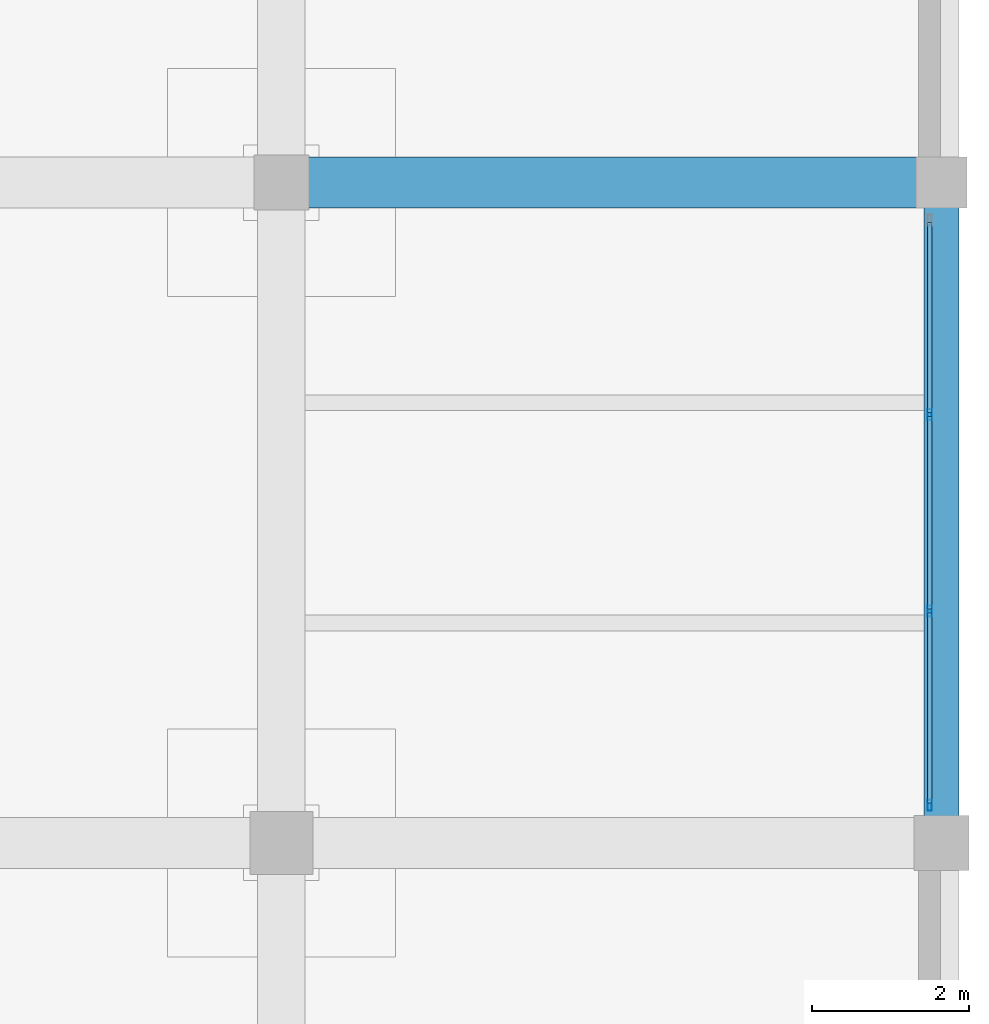
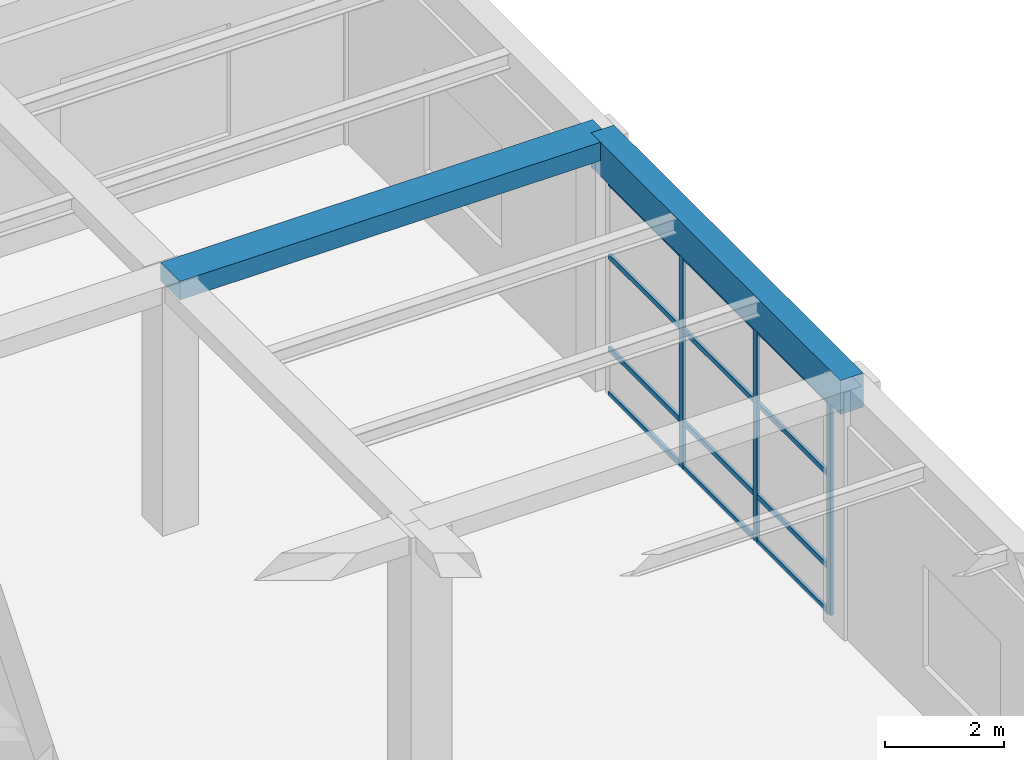
# One storey, part 38 of 65: 15 members, 2 beams, 1 element without a shape of its own.
"""IFC4 building model written with IfcOpenShell, lengths in metres."""

from ifc_helpers import new_model, si_unit, direction, frame, origin, origin_2d, place, context, subcontext, project, spatial, rectangle, hollow_rectangle, extrude, material, material_profile, profile_set, type_object, element, aggregate, save


model = new_model("IFC4")

# Units and contexts
model_context = context("Model", 3, precision=1e-05, world=origin(), true_north=direction((0.0, 1.0)))
body_context = subcontext(model_context, "Body", "Model", "MODEL_VIEW")
ifc_project = project(units=[si_unit("LENGTHUNIT", "METRE"), si_unit("AREAUNIT", "SQUARE_METRE"), si_unit("VOLUMEUNIT", "CUBIC_METRE"), si_unit("PLANEANGLEUNIT", "RADIAN"), si_unit("MASSUNIT", "GRAM", prefix="KILO")], contexts=[model_context])

# Site, building, storey
site_placement = place(None, origin())
site = spatial("IfcSite", under=ifc_project, at=site_placement, CompositionType="ELEMENT")
building_placement = place(site_placement, origin())
building = spatial("IfcBuilding", under=site, at=building_placement, Name="Almacenes y Pasaje Nevantli", CompositionType="ELEMENT")
storey_placement = place(building_placement, frame((0.0, 0.0, 16.800048828125)))
storey = spatial("IfcBuildingStorey", under=building, at=storey_placement, Name="L04", CompositionType="ELEMENT", Elevation=16.800048828125)

# Beams
ifc_material_1 = material(Name="Concrete C35/45", Category="concrete")
ifc_material_profile_1 = material_profile(ifc_material_1, rectangle(XDim=0.449951171875, YDim=0.699951171875, at=origin_2d()), Name="RC-BM-450x700")
ifc_profile_set_1 = profile_set([ifc_material_profile_1], Name="Concrete C35/45")
beam_type_1 = type_object("IfcBeamType", Name="BM-RC-450x700", PredefinedType="SPANDREL", material=ifc_profile_set_1)
beam_1_placement = place(storey_placement, frame((168.0, 100.800048828125, 4.75), z_axis=(0.0, 1.0, 0.0), x_axis=(-1.0, 0.0, 0.0)))
element("IfcBeam", 1, at=beam_1_placement, inside=storey, type_object=beam_type_1, Name="L04 North-South Reinforced Concrete Beam #3227", PredefinedType="SPANDREL", context=body_context, shape_type="SweptSolid", body=[
    extrude(rectangle(XDim=0.449951171875, YDim=0.699951171875, at=origin_2d()), origin(), (0.0, 0.0, 1.0), 8.39990234375),
])
ifc_material_2 = material(Name="Concrete C35/45", Category="concrete")
ifc_material_profile_2 = material_profile(ifc_material_2, rectangle(XDim=0.64990234375, YDim=0.3798828125, at=origin_2d()), Name="RC-BM-650x380")
ifc_profile_set_2 = profile_set([ifc_material_profile_2], Name="Concrete C35/45")
beam_type_2 = type_object("IfcBeamType", Name="BM-RC-650x380", PredefinedType="BEAM", material=ifc_profile_set_2)
beam_2_placement = place(storey_placement, frame((159.60009765625, 109.199951171875, 4.909912109375), z_axis=(1.0, 0.0, 0.0), x_axis=(0.0, 1.0, 0.0)))
element("IfcBeam", 2, at=beam_2_placement, inside=storey, type_object=beam_type_2, Name="L04 East-West Reinforced Concrete Beam #2972", PredefinedType="BEAM", context=body_context, shape_type="SweptSolid", body=[
    extrude(rectangle(XDim=0.64990234375, YDim=0.3798828125, at=origin_2d()), origin(), (0.0, 0.0, 1.0), 8.39990234375),
])

# Curtain wall, members
ifc_material_3 = material(Name="Thermally Broken Aluminium and Low-E Glass", Category="aluminium")
curtain_wall_type = type_object("IfcCurtainWallType", Name="CW-UNIT-PODIUM", PredefinedType="USERDEFINED", material=ifc_material_3)
curtain_wall_placement = place(storey_placement, origin())
curtain_wall = element("IfcCurtainWall", 3, at=curtain_wall_placement, inside=storey, type_object=curtain_wall_type, Name="L04 East Office Wing Curtain Wall Bay 13", ObjectType="UNITIZED CURTAIN WALL", PredefinedType="USERDEFINED")
ifc_material_4 = material(Name="Thermally Broken Anodized Aluminium", Category="aluminium")
ifc_material_profile_3 = material_profile(ifc_material_4, hollow_rectangle(XDim=0.054931640625, YDim=0.139892578125, WallThickness=0.00341796875, at=origin_2d()), Name="ALU-MUL-55x140")
ifc_profile_set_3 = profile_set([ifc_material_profile_3], Name="Thermally Broken Anodized Aluminium")
member_type_1 = type_object("IfcMemberType", Name="CW-MUL-160", PredefinedType="MULLION", material=ifc_profile_set_3)
member_1_placement = place(storey_placement, frame((167.85009765625, 101.277587890625, 0.0), z_axis=(0.0, 0.0, 1.0), x_axis=(-1.0, 0.0, 0.0)))
member_1 = element("IfcMember", 4, at=member_1_placement, type_object=member_type_1, Name="CW-L04-082 mullion 1", PredefinedType="MULLION", context=body_context, shape_type="SweptSolid", body=[
    extrude(hollow_rectangle(XDim=0.054931640625, YDim=0.139892578125, WallThickness=0.00341796875, at=origin_2d()), origin(), (0.0, 0.0, 1.0), 4.3798828125),
])
member_2_placement = place(storey_placement, frame((167.85009765625, 103.75, 0.0), z_axis=(0.0, 0.0, 1.0), x_axis=(-1.0, 0.0, 0.0)))
member_2 = element("IfcMember", 5, at=member_2_placement, type_object=member_type_1, Name="CW-L04-082 mullion 2", PredefinedType="MULLION", context=body_context, shape_type="SweptSolid", body=[
    extrude(hollow_rectangle(XDim=0.054931640625, YDim=0.139892578125, WallThickness=0.00341796875, at=origin_2d()), origin(), (0.0, 0.0, 1.0), 4.3798828125),
])
member_3_placement = place(storey_placement, frame((167.85009765625, 106.25, 0.0), z_axis=(0.0, 0.0, 1.0), x_axis=(-1.0, 0.0, 0.0)))
member_3 = element("IfcMember", 6, at=member_3_placement, type_object=member_type_1, Name="CW-L04-082 mullion 3", PredefinedType="MULLION", context=body_context, shape_type="SweptSolid", body=[
    extrude(hollow_rectangle(XDim=0.054931640625, YDim=0.139892578125, WallThickness=0.00341796875, at=origin_2d()), origin(), (0.0, 0.0, 1.0), 4.3798828125),
])
ifc_material_5 = material(Name="Thermally Broken Anodized Aluminium", Category="aluminium")
ifc_material_profile_4 = material_profile(ifc_material_5, hollow_rectangle(XDim=0.054931640625, YDim=0.10498046875, WallThickness=0.003173828125, at=origin_2d()), Name="ALU-TRN-55x105")
ifc_profile_set_4 = profile_set([ifc_material_profile_4], Name="Thermally Broken Anodized Aluminium")
member_type_2 = type_object("IfcMemberType", Name="CW-TRN-120", PredefinedType="USERDEFINED", material=ifc_profile_set_4)
member_4_placement = place(storey_placement, frame((167.85009765625, 101.304931640625, 0.02734375), z_axis=(0.0, 1.0, 0.0), x_axis=(-1.0, 0.0, 0.0)))
member_4 = element("IfcMember", 7, at=member_4_placement, type_object=member_type_2, Name="CW-L04-082 transom 1.1", ObjectType="TRANSOM", PredefinedType="USERDEFINED", context=body_context, shape_type="SweptSolid", body=[
    extrude(hollow_rectangle(XDim=0.054931640625, YDim=0.10498046875, WallThickness=0.003173828125, at=origin_2d()), origin(), (0.0, 0.0, 1.0), 2.41748046875),
])
member_5_placement = place(storey_placement, frame((167.85009765625, 101.304931640625, 0.949951171875), z_axis=(0.0, 1.0, 0.0), x_axis=(-1.0, 0.0, 0.0)))
member_5 = element("IfcMember", 8, at=member_5_placement, type_object=member_type_2, Name="CW-L04-082 transom 1.2", ObjectType="TRANSOM", PredefinedType="USERDEFINED", context=body_context, shape_type="SweptSolid", body=[
    extrude(hollow_rectangle(XDim=0.054931640625, YDim=0.10498046875, WallThickness=0.003173828125, at=origin_2d()), origin(), (0.0, 0.0, 1.0), 2.41748046875),
])
member_6_placement = place(storey_placement, frame((167.85009765625, 101.304931640625, 2.849853515625), z_axis=(0.0, 1.0, 0.0), x_axis=(-1.0, 0.0, 0.0)))
member_6 = element("IfcMember", 9, at=member_6_placement, type_object=member_type_2, Name="CW-L04-082 transom 1.3", ObjectType="TRANSOM", PredefinedType="USERDEFINED", context=body_context, shape_type="SweptSolid", body=[
    extrude(hollow_rectangle(XDim=0.054931640625, YDim=0.10498046875, WallThickness=0.003173828125, at=origin_2d()), origin(), (0.0, 0.0, 1.0), 2.41748046875),
])
member_7_placement = place(storey_placement, frame((167.85009765625, 101.304931640625, 4.3525390625), z_axis=(0.0, 1.0, 0.0), x_axis=(-1.0, 0.0, 0.0)))
member_7 = element("IfcMember", 10, at=member_7_placement, type_object=member_type_2, Name="CW-L04-082 transom 1.4", ObjectType="TRANSOM", PredefinedType="USERDEFINED", context=body_context, shape_type="SweptSolid", body=[
    extrude(hollow_rectangle(XDim=0.054931640625, YDim=0.10498046875, WallThickness=0.003173828125, at=origin_2d()), origin(), (0.0, 0.0, 1.0), 2.41748046875),
])
member_8_placement = place(storey_placement, frame((167.85009765625, 103.777587890625, 0.02734375), z_axis=(0.0, 1.0, 0.0), x_axis=(-1.0, 0.0, 0.0)))
member_8 = element("IfcMember", 11, at=member_8_placement, type_object=member_type_2, Name="CW-L04-082 transom 2.1", ObjectType="TRANSOM", PredefinedType="USERDEFINED", context=body_context, shape_type="SweptSolid", body=[
    extrude(hollow_rectangle(XDim=0.054931640625, YDim=0.10498046875, WallThickness=0.003173828125, at=origin_2d()), origin(), (0.0, 0.0, 1.0), 2.44482421875),
])
member_9_placement = place(storey_placement, frame((167.85009765625, 103.777587890625, 0.949951171875), z_axis=(0.0, 1.0, 0.0), x_axis=(-1.0, 0.0, 0.0)))
member_9 = element("IfcMember", 12, at=member_9_placement, type_object=member_type_2, Name="CW-L04-082 transom 2.2", ObjectType="TRANSOM", PredefinedType="USERDEFINED", context=body_context, shape_type="SweptSolid", body=[
    extrude(hollow_rectangle(XDim=0.054931640625, YDim=0.10498046875, WallThickness=0.003173828125, at=origin_2d()), origin(), (0.0, 0.0, 1.0), 2.44482421875),
])
member_10_placement = place(storey_placement, frame((167.85009765625, 103.777587890625, 2.849853515625), z_axis=(0.0, 1.0, 0.0), x_axis=(-1.0, 0.0, 0.0)))
member_10 = element("IfcMember", 13, at=member_10_placement, type_object=member_type_2, Name="CW-L04-082 transom 2.3", ObjectType="TRANSOM", PredefinedType="USERDEFINED", context=body_context, shape_type="SweptSolid", body=[
    extrude(hollow_rectangle(XDim=0.054931640625, YDim=0.10498046875, WallThickness=0.003173828125, at=origin_2d()), origin(), (0.0, 0.0, 1.0), 2.44482421875),
])
member_11_placement = place(storey_placement, frame((167.85009765625, 103.777587890625, 4.3525390625), z_axis=(0.0, 1.0, 0.0), x_axis=(-1.0, 0.0, 0.0)))
member_11 = element("IfcMember", 14, at=member_11_placement, type_object=member_type_2, Name="CW-L04-082 transom 2.4", ObjectType="TRANSOM", PredefinedType="USERDEFINED", context=body_context, shape_type="SweptSolid", body=[
    extrude(hollow_rectangle(XDim=0.054931640625, YDim=0.10498046875, WallThickness=0.003173828125, at=origin_2d()), origin(), (0.0, 0.0, 1.0), 2.44482421875),
])
member_12_placement = place(storey_placement, frame((167.85009765625, 106.277587890625, 0.02734375), z_axis=(0.0, 1.0, 0.0), x_axis=(-1.0, 0.0, 0.0)))
member_12 = element("IfcMember", 15, at=member_12_placement, type_object=member_type_2, Name="CW-L04-082 transom 3.1", ObjectType="TRANSOM", PredefinedType="USERDEFINED", context=body_context, shape_type="SweptSolid", body=[
    extrude(hollow_rectangle(XDim=0.054931640625, YDim=0.10498046875, WallThickness=0.003173828125, at=origin_2d()), origin(), (0.0, 0.0, 1.0), 2.41748046875),
])
member_13_placement = place(storey_placement, frame((167.85009765625, 106.277587890625, 0.949951171875), z_axis=(0.0, 1.0, 0.0), x_axis=(-1.0, 0.0, 0.0)))
member_13 = element("IfcMember", 16, at=member_13_placement, type_object=member_type_2, Name="CW-L04-082 transom 3.2", ObjectType="TRANSOM", PredefinedType="USERDEFINED", context=body_context, shape_type="SweptSolid", body=[
    extrude(hollow_rectangle(XDim=0.054931640625, YDim=0.10498046875, WallThickness=0.003173828125, at=origin_2d()), origin(), (0.0, 0.0, 1.0), 2.41748046875),
])
member_14_placement = place(storey_placement, frame((167.85009765625, 106.277587890625, 2.849853515625), z_axis=(0.0, 1.0, 0.0), x_axis=(-1.0, 0.0, 0.0)))
member_14 = element("IfcMember", 17, at=member_14_placement, type_object=member_type_2, Name="CW-L04-082 transom 3.3", ObjectType="TRANSOM", PredefinedType="USERDEFINED", context=body_context, shape_type="SweptSolid", body=[
    extrude(hollow_rectangle(XDim=0.054931640625, YDim=0.10498046875, WallThickness=0.003173828125, at=origin_2d()), origin(), (0.0, 0.0, 1.0), 2.41748046875),
])
member_15_placement = place(storey_placement, frame((167.85009765625, 106.277587890625, 4.3525390625), z_axis=(0.0, 1.0, 0.0), x_axis=(-1.0, 0.0, 0.0)))
member_15 = element("IfcMember", 18, at=member_15_placement, type_object=member_type_2, Name="CW-L04-082 transom 3.4", ObjectType="TRANSOM", PredefinedType="USERDEFINED", context=body_context, shape_type="SweptSolid", body=[
    extrude(hollow_rectangle(XDim=0.054931640625, YDim=0.10498046875, WallThickness=0.003173828125, at=origin_2d()), origin(), (0.0, 0.0, 1.0), 2.41748046875),
])
aggregate(curtain_wall, [member_1, member_2, member_3, member_4, member_5, member_6, member_7, member_8, member_9, member_10, member_11, member_12, member_13, member_14, member_15])

save(model, "model.ifc")
